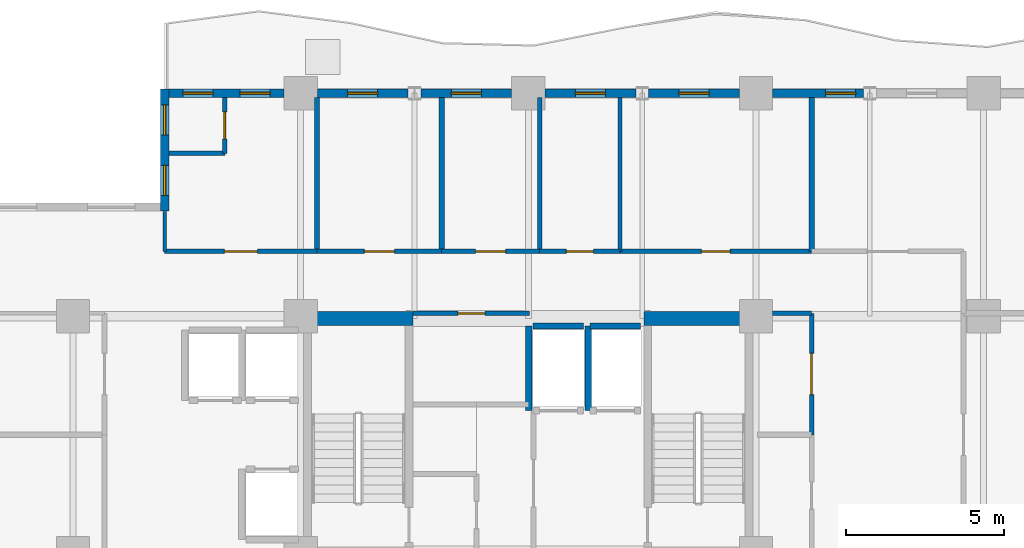
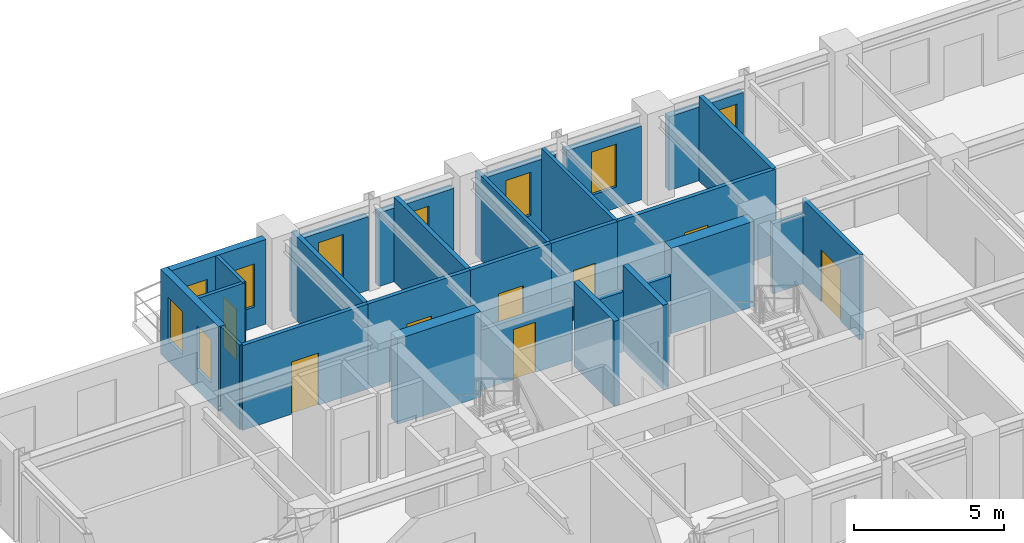
# One storey, part 8 of 13: 29 walls, 9 windows, 8 doors, 17 openings.
"""IFC4 building model written with IfcOpenShell, lengths in metres."""

from ifc_helpers import new_model, si_unit, direction, frame, frame_2d, origin, place, context, subcontext, project, spatial, rectangle, extrude, material, layer, layer_set, type_object, element, fill, save


model = new_model("IFC4")

# Units and contexts
model_context = context("Model", 3, precision=1e-05, world=origin(), true_north=direction((0.0, 1.0)))
body_context = subcontext(model_context, "Body", "Model", "MODEL_VIEW")
ifc_project = project(units=[si_unit("LENGTHUNIT", "METRE"), si_unit("AREAUNIT", "SQUARE_METRE"), si_unit("VOLUMEUNIT", "CUBIC_METRE"), si_unit("PLANEANGLEUNIT", "RADIAN"), si_unit("MASSUNIT", "GRAM", prefix="KILO")], contexts=[model_context])

# Site, building, storey
site_placement = place(None, origin())
site = spatial("IfcSite", under=ifc_project, at=site_placement, CompositionType="ELEMENT")
building_placement = place(site_placement, origin())
building = spatial("IfcBuilding", under=site, at=building_placement, Name="Kaliganga Portal Commons", CompositionType="ELEMENT")
storey_placement = place(building_placement, frame((0.0, 0.0, 180.89990234375)))
storey = spatial("IfcBuildingStorey", under=building, at=storey_placement, Name="L46", CompositionType="ELEMENT", Elevation=180.89990234375)

# Walls
ifc_material_1 = material(Name="Concrete C60/75", Category="concrete")
ifc_layer_1 = layer(ifc_material_1, 0.449951171875)
ifc_layer_set_1 = layer_set([ifc_layer_1], Name="Concrete C60/75")
wall_type_1 = type_object("IfcWallType", Name="WL-CORE-450", PredefinedType="SHEAR", material=ifc_layer_set_1)
for number, where, z_axis, x_axis, name in (
    (1, (14.75, 36.074951171875, 0.0), (0.0, 0.0, 1.0), (1.0, 0.0, 0.0), "Core A N-West Shear Wall L46"),
    (2, (25.25, 36.074951171875, 0.0), (0.0, 0.0, 1.0), (1.0, 0.0, 0.0), "Core A N-East Shear Wall L46"),
):
    element("IfcWall", number, at=place(storey_placement, frame(where, z_axis=z_axis, x_axis=x_axis)), inside=storey, type_object=wall_type_1, Name=name, PredefinedType="SHEAR", context=body_context, shape_type="SweptSolid", body=[
        extrude(rectangle(XDim=3.199951171875, YDim=0.449951171875, at=frame_2d((1.60009765625, 0.0))), origin(), (0.0, 0.0, 1.0), 3.460205078125),
    ])

# Wall, opening, window
ifc_material_2 = material(Name="Insulated Aluminium-Clad Spandrel Assembly", Category="aluminium")
ifc_layer_2 = layer(ifc_material_2, 0.260009765625)
ifc_layer_set_2 = layer_set([ifc_layer_2], Name="Insulated Aluminium-Clad Spandrel Assembly")
wall_type_2 = type_object("IfcWallType", Name="WL-EXT-SPAND-260", PredefinedType="STANDARD", material=ifc_layer_set_2)
wall_1_placement = place(storey_placement, frame((29.325927734375, 43.199951171875, 0.0), z_axis=(0.0, 0.0, 1.0), x_axis=(1.0, 0.0, 0.0)))
wall_1 = element("IfcWall", 3, at=wall_1_placement, inside=storey, type_object=wall_type_2, Name="Exterior Envelope Wall L46 P1-E06-S3", PredefinedType="STANDARD", context=body_context, shape_type="SweptSolid", body=[
    extrude(rectangle(XDim=2.87109375, YDim=0.260009765625, at=frame_2d((1.435546875, 0.0))), origin(), (0.0, 0.0, 1.0), 2.989990234375),
])
opening_1_placement = place(wall_1_placement, frame((1.672607421875, 0.0, 0.85009765625)))
opening_1 = element("IfcOpeningElement", 4, at=opening_1_placement, cuts=wall_1, Name="Opening W-04", PredefinedType="OPENING", context=body_context, shape_type="SweptSolid", body=[
    extrude(rectangle(XDim=0.949951171875, YDim=1.75, at=frame_2d((0.47509765625, 0.875))), frame((0.0, 0.14013671875, 0.0), z_axis=(0.0, -1.0, 0.0), x_axis=(1.0, 0.0, 0.0)), (0.0, 0.0, 1.0), 0.280029296875),
])
ifc_material_3 = material(Name="Thermally Broken Aluminium and Low-E Double Glazing", Category="aluminium")
window_type = type_object("IfcWindowType", Name="WIN-NARROW-950", PartitioningType="SINGLE_PANEL", PredefinedType="WINDOW", material=ifc_material_3)
window_1_placement = place(opening_1_placement, origin())
window_1 = element("IfcWindow", 5, at=window_1_placement, inside=storey, type_object=window_type, Name="Facade Window L46-P1E06S3-N2", OverallHeight=1.75, OverallWidth=0.949951171875, PartitioningType="SINGLE_PANEL", PredefinedType="WINDOW", context=body_context, shape_type="SweptSolid", body=[
    extrude(rectangle(XDim=0.949951171875, YDim=1.75, at=frame_2d((0.47509765625, 0.875))), frame((0.0, 0.030029296875, 0.0), z_axis=(0.0, -1.0, 0.0), x_axis=(1.0, 0.0, 0.0)), (0.0, 0.0, 1.0), 0.06005859375),
])
fill(opening_1, window_1)

wall_2_placement = place(storey_placement, frame((25.403076171875, 43.199951171875, 0.0), z_axis=(0.0, 0.0, 1.0), x_axis=(1.0, 0.0, 0.0)))
wall_2 = element("IfcWall", 6, at=wall_2_placement, inside=storey, type_object=wall_type_2, Name="Exterior Envelope Wall L46 P1-E06-S4", PredefinedType="STANDARD", context=body_context, shape_type="SweptSolid", body=[
    extrude(rectangle(XDim=2.870849609375, YDim=0.260009765625, at=frame_2d((1.435546875, 0.0))), origin(), (0.0, 0.0, 1.0), 2.989990234375),
])
opening_2_placement = place(wall_2_placement, frame((0.96044921875, 0.0, 0.85009765625)))
opening_2 = element("IfcOpeningElement", 7, at=opening_2_placement, cuts=wall_2, Name="Opening W-04", PredefinedType="OPENING", context=body_context, shape_type="SweptSolid", body=[
    extrude(rectangle(XDim=0.949951171875, YDim=1.75, at=frame_2d((0.47509765625, 0.875))), frame((0.0, 0.14013671875, 0.0), z_axis=(0.0, -1.0, 0.0), x_axis=(1.0, 0.0, 0.0)), (0.0, 0.0, 1.0), 0.280029296875),
])
window_2_placement = place(opening_2_placement, origin())
window_2 = element("IfcWindow", 8, at=window_2_placement, inside=storey, type_object=window_type, Name="Facade Window L46-P1E06S4-00", OverallHeight=1.75, OverallWidth=0.949951171875, PartitioningType="SINGLE_PANEL", PredefinedType="WINDOW", context=body_context, shape_type="SweptSolid", body=[
    extrude(rectangle(XDim=0.949951171875, YDim=1.75, at=frame_2d((0.47509765625, 0.875))), frame((0.0, 0.030029296875, 0.0), z_axis=(0.0, -1.0, 0.0), x_axis=(1.0, 0.0, 0.0)), (0.0, 0.0, 1.0), 0.06005859375),
])
fill(opening_2, window_2)

wall_3_placement = place(storey_placement, frame((22.1259765625, 43.199951171875, 0.0), z_axis=(0.0, 0.0, 1.0), x_axis=(1.0, 0.0, 0.0)))
wall_3 = element("IfcWall", 9, at=wall_3_placement, inside=storey, type_object=wall_type_2, Name="Exterior Envelope Wall L46 P1-E06-S5", PredefinedType="STANDARD", context=body_context, shape_type="SweptSolid", body=[
    extrude(rectangle(XDim=2.87109375, YDim=0.260009765625, at=frame_2d((1.435546875, 0.0))), origin(), (0.0, 0.0, 1.0), 2.989990234375),
])
opening_3_placement = place(wall_3_placement, frame((0.96044921875, 0.0, 0.85009765625)))
opening_3 = element("IfcOpeningElement", 10, at=opening_3_placement, cuts=wall_3, Name="Opening W-04", PredefinedType="OPENING", context=body_context, shape_type="SweptSolid", body=[
    extrude(rectangle(XDim=0.949951171875, YDim=1.75, at=frame_2d((0.47509765625, 0.875))), frame((0.0, 0.14013671875, 0.0), z_axis=(0.0, -1.0, 0.0), x_axis=(1.0, 0.0, 0.0)), (0.0, 0.0, 1.0), 0.280029296875),
])
window_3_placement = place(opening_3_placement, origin())
window_3 = element("IfcWindow", 11, at=window_3_placement, inside=storey, type_object=window_type, Name="Facade Window L46-P1E06S5-00", OverallHeight=1.75, OverallWidth=0.949951171875, PartitioningType="SINGLE_PANEL", PredefinedType="WINDOW", context=body_context, shape_type="SweptSolid", body=[
    extrude(rectangle(XDim=0.949951171875, YDim=1.75, at=frame_2d((0.47509765625, 0.875))), frame((0.0, 0.030029296875, 0.0), z_axis=(0.0, -1.0, 0.0), x_axis=(1.0, 0.0, 0.0)), (0.0, 0.0, 1.0), 0.06005859375),
])
fill(opening_3, window_3)

wall_4_placement = place(storey_placement, frame((18.202880859375, 43.199951171875, 0.0), z_axis=(0.0, 0.0, 1.0), x_axis=(1.0, 0.0, 0.0)))
wall_4 = element("IfcWall", 12, at=wall_4_placement, inside=storey, type_object=wall_type_2, Name="Exterior Envelope Wall L46 P1-E06-S6", PredefinedType="STANDARD", context=body_context, shape_type="SweptSolid", body=[
    extrude(rectangle(XDim=2.87109375, YDim=0.260009765625, at=frame_2d((1.435546875, 0.0))), origin(), (0.0, 0.0, 1.0), 2.989990234375),
])
opening_4_placement = place(wall_4_placement, frame((0.96044921875, 0.0, 0.85009765625)))
opening_4 = element("IfcOpeningElement", 13, at=opening_4_placement, cuts=wall_4, Name="Opening W-04", PredefinedType="OPENING", context=body_context, shape_type="SweptSolid", body=[
    extrude(rectangle(XDim=0.949951171875, YDim=1.75, at=frame_2d((0.47509765625, 0.875))), frame((0.0, 0.14013671875, 0.0), z_axis=(0.0, -1.0, 0.0), x_axis=(1.0, 0.0, 0.0)), (0.0, 0.0, 1.0), 0.280029296875),
])
window_4_placement = place(opening_4_placement, origin())
window_4 = element("IfcWindow", 14, at=window_4_placement, inside=storey, type_object=window_type, Name="Facade Window L46-P1E06S6-00", OverallHeight=1.75, OverallWidth=0.949951171875, PartitioningType="SINGLE_PANEL", PredefinedType="WINDOW", context=body_context, shape_type="SweptSolid", body=[
    extrude(rectangle(XDim=0.949951171875, YDim=1.75, at=frame_2d((0.47509765625, 0.875))), frame((0.0, 0.030029296875, 0.0), z_axis=(0.0, -1.0, 0.0), x_axis=(1.0, 0.0, 0.0)), (0.0, 0.0, 1.0), 0.06005859375),
])
fill(opening_4, window_4)

wall_5_placement = place(storey_placement, frame((14.926025390625, 43.199951171875, 0.0), z_axis=(0.0, 0.0, 1.0), x_axis=(1.0, 0.0, 0.0)))
wall_5 = element("IfcWall", 15, at=wall_5_placement, inside=storey, type_object=wall_type_2, Name="Exterior Envelope Wall L46 P1-E06-S7", PredefinedType="STANDARD", context=body_context, shape_type="SweptSolid", body=[
    extrude(rectangle(XDim=2.87109375, YDim=0.260009765625, at=frame_2d((1.435546875, 0.0))), origin(), (0.0, 0.0, 1.0), 2.989990234375),
])
opening_5_placement = place(wall_5_placement, frame((0.96044921875, 0.0, 0.85009765625)))
opening_5 = element("IfcOpeningElement", 16, at=opening_5_placement, cuts=wall_5, Name="Opening W-04", PredefinedType="OPENING", context=body_context, shape_type="SweptSolid", body=[
    extrude(rectangle(XDim=0.949951171875, YDim=1.75, at=frame_2d((0.47509765625, 0.875))), frame((0.0, 0.14013671875, 0.0), z_axis=(0.0, -1.0, 0.0), x_axis=(1.0, 0.0, 0.0)), (0.0, 0.0, 1.0), 0.280029296875),
])
window_5_placement = place(opening_5_placement, origin())
window_5 = element("IfcWindow", 17, at=window_5_placement, inside=storey, type_object=window_type, Name="Facade Window L46-P1E06S7-00", OverallHeight=1.75, OverallWidth=0.949951171875, PartitioningType="SINGLE_PANEL", PredefinedType="WINDOW", context=body_context, shape_type="SweptSolid", body=[
    extrude(rectangle(XDim=0.949951171875, YDim=1.75, at=frame_2d((0.47509765625, 0.875))), frame((0.0, 0.030029296875, 0.0), z_axis=(0.0, -1.0, 0.0), x_axis=(1.0, 0.0, 0.0)), (0.0, 0.0, 1.0), 0.06005859375),
])
fill(opening_5, window_5)

# Wall, openings, windows
wall_6_placement = place(storey_placement, frame((10.235107421875, 43.199951171875, 0.0), z_axis=(0.0, 0.0, 1.0), x_axis=(1.0, 0.0, 0.0)))
wall_6 = element("IfcWall", 18, at=wall_6_placement, inside=storey, type_object=wall_type_2, Name="Exterior Envelope Wall L46 P1-E06-S8", PredefinedType="STANDARD", context=body_context, shape_type="SweptSolid", body=[
    extrude(rectangle(XDim=3.638916015625, YDim=0.260009765625, at=frame_2d((1.8193359375, 0.0))), origin(), (0.0, 0.0, 1.0), 3.440185546875),
])
opening_6_placement = place(wall_6_placement, frame((0.44189453125, 0.0, 0.85009765625)))
opening_6 = element("IfcOpeningElement", 19, at=opening_6_placement, cuts=wall_6, Name="Opening W-04", PredefinedType="OPENING", context=body_context, shape_type="SweptSolid", body=[
    extrude(rectangle(XDim=0.949951171875, YDim=1.75, at=frame_2d((0.47509765625, 0.875))), frame((0.0, 0.14013671875, 0.0), z_axis=(0.0, -1.0, 0.0), x_axis=(1.0, 0.0, 0.0)), (0.0, 0.0, 1.0), 0.280029296875),
])
opening_7_placement = place(wall_6_placement, frame((2.2470703125, 0.0, 0.85009765625)))
opening_7 = element("IfcOpeningElement", 20, at=opening_7_placement, cuts=wall_6, Name="Opening W-04", PredefinedType="OPENING", context=body_context, shape_type="SweptSolid", body=[
    extrude(rectangle(XDim=0.949951171875, YDim=1.75, at=frame_2d((0.47509765625, 0.875))), frame((0.0, 0.14013671875, 0.0), z_axis=(0.0, -1.0, 0.0), x_axis=(1.0, 0.0, 0.0)), (0.0, 0.0, 1.0), 0.280029296875),
])
window_6_placement = place(opening_6_placement, origin())
window_6 = element("IfcWindow", 21, at=window_6_placement, inside=storey, type_object=window_type, Name="Facade Window L46-P1E06S8-N1", OverallHeight=1.75, OverallWidth=0.949951171875, PartitioningType="SINGLE_PANEL", PredefinedType="WINDOW", context=body_context, shape_type="SweptSolid", body=[
    extrude(rectangle(XDim=0.949951171875, YDim=1.75, at=frame_2d((0.47509765625, 0.875))), frame((0.0, 0.030029296875, 0.0), z_axis=(0.0, -1.0, 0.0), x_axis=(1.0, 0.0, 0.0)), (0.0, 0.0, 1.0), 0.06005859375),
])
fill(opening_6, window_6)
window_7_placement = place(opening_7_placement, origin())
window_7 = element("IfcWindow", 22, at=window_7_placement, inside=storey, type_object=window_type, Name="Facade Window L46-P1E06S8-N2", OverallHeight=1.75, OverallWidth=0.949951171875, PartitioningType="SINGLE_PANEL", PredefinedType="WINDOW", context=body_context, shape_type="SweptSolid", body=[
    extrude(rectangle(XDim=0.949951171875, YDim=1.75, at=frame_2d((0.47509765625, 0.875))), frame((0.0, 0.030029296875, 0.0), z_axis=(0.0, -1.0, 0.0), x_axis=(1.0, 0.0, 0.0)), (0.0, 0.0, 1.0), 0.06005859375),
])
fill(opening_7, window_7)

wall_7_placement = place(storey_placement, frame((10.10009765625, 39.469970703125, 0.0), z_axis=(0.0, 0.0, 1.0), x_axis=(0.0, 1.0, 0.0)))
wall_7 = element("IfcWall", 23, at=wall_7_placement, inside=storey, type_object=wall_type_2, Name="Exterior Envelope Wall L46 P1-E07-S1", PredefinedType="STANDARD", context=body_context, shape_type="SweptSolid", body=[
    extrude(rectangle(XDim=3.860107421875, YDim=0.260009765625, at=frame_2d((1.93017578125, 0.0))), origin(), (0.0, 0.0, 1.0), 3.440185546875),
])
opening_8_placement = place(wall_7_placement, frame((0.497802734375, 0.0, 0.85009765625)))
opening_8 = element("IfcOpeningElement", 24, at=opening_8_placement, cuts=wall_7, Name="Opening W-04", PredefinedType="OPENING", context=body_context, shape_type="SweptSolid", body=[
    extrude(rectangle(XDim=0.949951171875, YDim=1.75, at=frame_2d((0.47509765625, 0.875))), frame((0.0, 0.14013671875, 0.0), z_axis=(0.0, -1.0, 0.0), x_axis=(1.0, 0.0, 0.0)), (0.0, 0.0, 1.0), 0.280029296875),
])
opening_9_placement = place(wall_7_placement, frame((2.412353515625, 0.0, 0.85009765625)))
opening_9 = element("IfcOpeningElement", 25, at=opening_9_placement, cuts=wall_7, Name="Opening W-04", PredefinedType="OPENING", context=body_context, shape_type="SweptSolid", body=[
    extrude(rectangle(XDim=0.949951171875, YDim=1.75, at=frame_2d((0.47509765625, 0.875))), frame((0.0, 0.14013671875, 0.0), z_axis=(0.0, -1.0, 0.0), x_axis=(1.0, 0.0, 0.0)), (0.0, 0.0, 1.0), 0.280029296875),
])
window_8_placement = place(opening_8_placement, origin())
window_8 = element("IfcWindow", 26, at=window_8_placement, inside=storey, type_object=window_type, Name="Facade Window L46-P1E07S1-N1", OverallHeight=1.75, OverallWidth=0.949951171875, PartitioningType="SINGLE_PANEL", PredefinedType="WINDOW", context=body_context, shape_type="SweptSolid", body=[
    extrude(rectangle(XDim=0.949951171875, YDim=1.75, at=frame_2d((0.47509765625, 0.875))), frame((0.0, 0.030029296875, 0.0), z_axis=(0.0, -1.0, 0.0), x_axis=(1.0, 0.0, 0.0)), (0.0, 0.0, 1.0), 0.06005859375),
])
fill(opening_8, window_8)
window_9_placement = place(opening_9_placement, origin())
window_9 = element("IfcWindow", 27, at=window_9_placement, inside=storey, type_object=window_type, Name="Facade Window L46-P1E07S1-N2", OverallHeight=1.75, OverallWidth=0.949951171875, PartitioningType="SINGLE_PANEL", PredefinedType="WINDOW", context=body_context, shape_type="SweptSolid", body=[
    extrude(rectangle(XDim=0.949951171875, YDim=1.75, at=frame_2d((0.47509765625, 0.875))), frame((0.0, 0.030029296875, 0.0), z_axis=(0.0, -1.0, 0.0), x_axis=(1.0, 0.0, 0.0)), (0.0, 0.0, 1.0), 0.06005859375),
])
fill(opening_9, window_9)

# Wall, opening, door
ifc_material_4 = material(Name="Fire-Rated Gypsum Board on Steel Stud", Category="steel")
ifc_layer_3 = layer(ifc_material_4, 0.14990234375)
ifc_layer_set_3 = layer_set([ifc_layer_3], Name="Fire-Rated Gypsum Board on Steel Stud")
wall_type_3 = type_object("IfcWallType", Name="WL-PART-CORR-150", PredefinedType="PARTITIONING", material=ifc_layer_set_3)
wall_8_placement = place(storey_placement, frame((24.5, 38.199951171875, 0.0), z_axis=(0.0, 0.0, 1.0), x_axis=(1.0, 0.0, 0.0)))
wall_8 = element("IfcWall", 28, at=wall_8_placement, inside=storey, type_object=wall_type_3, Name="Interior Partition L46-018", PredefinedType="PARTITIONING", context=body_context, shape_type="SweptSolid", body=[
    extrude(rectangle(XDim=6.06005859375, YDim=0.14990234375, at=frame_2d((3.030029296875, 0.0))), origin(), (0.0, 0.0, 1.0), 3.440185546875),
])
opening_10_placement = place(wall_8_placement, frame((2.580078125, 0.0, 0.0)))
opening_10 = element("IfcOpeningElement", 29, at=opening_10_placement, cuts=wall_8, Name="Opening RD-01", PredefinedType="OPENING", context=body_context, shape_type="SweptSolid", body=[
    extrude(rectangle(XDim=0.89990234375, YDim=2.080078125, at=frame_2d((0.449951171875, 1.0400390625))), frame((0.0, 0.0849609375, 0.0), z_axis=(0.0, -1.0, 0.0), x_axis=(1.0, 0.0, 0.0)), (0.0, 0.0, 1.0), 0.169921875),
])
ifc_material_5 = material(Name="Engineered Timber Flush Door", Category="wood")
door_type_1 = type_object("IfcDoorType", Name="DR-ROOM-900", OperationType="NOTDEFINED", PredefinedType="DOOR", material=ifc_material_5)
door_1_placement = place(opening_10_placement, origin())
door_1 = element("IfcDoor", 30, at=door_1_placement, inside=storey, type_object=door_type_1, Name="Interior Door L46-AN05", OperationType="SINGLE_SWING_LEFT", OverallHeight=2.080078125, OverallWidth=0.89990234375, PredefinedType="DOOR", context=body_context, shape_type="SweptSolid", body=[
    extrude(rectangle(XDim=0.89990234375, YDim=2.080078125, at=frame_2d((0.449951171875, 1.0400390625))), frame((0.0, 0.02490234375, 0.0), z_axis=(0.0, -1.0, 0.0), x_axis=(1.0, 0.0, 0.0)), (0.0, 0.0, 1.0), 0.050048828125),
])
fill(opening_10, door_1)

wall_9_placement = place(storey_placement, frame((10.10009765625, 38.199951171875, 0.0), z_axis=(0.0, 0.0, 1.0), x_axis=(1.0, 0.0, 0.0)))
wall_9 = element("IfcWall", 31, at=wall_9_placement, inside=storey, type_object=wall_type_3, Name="Interior Partition L46-027", PredefinedType="PARTITIONING", context=body_context, shape_type="SweptSolid", body=[
    extrude(rectangle(XDim=4.81982421875, YDim=0.14990234375, at=frame_2d((2.409912109375, 0.0))), origin(), (0.0, 0.0, 1.0), 3.440185546875),
])
opening_11_placement = place(wall_9_placement, frame((1.885009765625, 0.0, 0.0)))
opening_11 = element("IfcOpeningElement", 32, at=opening_11_placement, cuts=wall_9, Name="Opening UD-02", PredefinedType="OPENING", context=body_context, shape_type="SweptSolid", body=[
    extrude(rectangle(XDim=1.050048828125, YDim=2.1201171875, at=frame_2d((0.52490234375, 1.06005859375))), frame((0.0, 0.0849609375, 0.0), z_axis=(0.0, -1.0, 0.0), x_axis=(1.0, 0.0, 0.0)), (0.0, 0.0, 1.0), 0.169921875),
])
ifc_material_6 = material(Name="Accessible Wide-Leaf Acoustic Fire Door", Category="wood")
door_type_2 = type_object("IfcDoorType", Name="DR-ACC-1050", OperationType="NOTDEFINED", PredefinedType="DOOR", material=ifc_material_6)
door_2_placement = place(opening_11_placement, origin())
door_2 = element("IfcDoor", 33, at=door_2_placement, inside=storey, type_object=door_type_2, Name="Interior Door L46-AN01", OperationType="SINGLE_SWING_RIGHT", OverallHeight=2.1201171875, OverallWidth=1.050048828125, PredefinedType="DOOR", context=body_context, shape_type="SweptSolid", body=[
    extrude(rectangle(XDim=1.050048828125, YDim=2.1201171875, at=frame_2d((0.52490234375, 1.06005859375))), frame((0.0, 0.02490234375, 0.0), z_axis=(0.0, -1.0, 0.0), x_axis=(1.0, 0.0, 0.0)), (0.0, 0.0, 1.0), 0.050048828125),
])
fill(opening_11, door_2)

wall_10_placement = place(storey_placement, frame((14.919921875, 38.199951171875, 0.0), z_axis=(0.0, 0.0, 1.0), x_axis=(1.0, 0.0, 0.0)))
wall_10 = element("IfcWall", 34, at=wall_10_placement, inside=storey, type_object=wall_type_3, Name="Interior Partition L46-033", PredefinedType="PARTITIONING", context=body_context, shape_type="SweptSolid", body=[
    extrude(rectangle(XDim=3.940185546875, YDim=0.14990234375, at=frame_2d((1.97021484375, 0.0))), origin(), (0.0, 0.0, 1.0), 3.440185546875),
])
opening_12_placement = place(wall_10_placement, frame((1.4951171875, 0.0, 0.0)))
opening_12 = element("IfcOpeningElement", 35, at=opening_12_placement, cuts=wall_10, Name="Opening UD-01", PredefinedType="OPENING", context=body_context, shape_type="SweptSolid", body=[
    extrude(rectangle(XDim=0.949951171875, YDim=2.10009765625, at=frame_2d((0.47509765625, 1.050048828125))), frame((0.0, 0.0849609375, 0.0), z_axis=(0.0, -1.0, 0.0), x_axis=(1.0, 0.0, 0.0)), (0.0, 0.0, 1.0), 0.169921875),
])
ifc_material_7 = material(Name="Solid-Core Timber Acoustic Fire Door", Category="wood")
door_type_3 = type_object("IfcDoorType", Name="DR-UNIT-950", OperationType="NOTDEFINED", PredefinedType="DOOR", material=ifc_material_7)
door_3_placement = place(opening_12_placement, origin())
door_3 = element("IfcDoor", 36, at=door_3_placement, inside=storey, type_object=door_type_3, Name="Interior Door L46-AN02", OperationType="SINGLE_SWING_RIGHT", OverallHeight=2.10009765625, OverallWidth=0.949951171875, PredefinedType="DOOR", context=body_context, shape_type="SweptSolid", body=[
    extrude(rectangle(XDim=0.949951171875, YDim=2.10009765625, at=frame_2d((0.47509765625, 1.050048828125))), frame((0.0, 0.02490234375, 0.0), z_axis=(0.0, -1.0, 0.0), x_axis=(1.0, 0.0, 0.0)), (0.0, 0.0, 1.0), 0.050048828125),
])
fill(opening_12, door_3)

wall_11_placement = place(storey_placement, frame((30.56005859375, 32.39990234375, 0.0), z_axis=(0.0, 0.0, 1.0), x_axis=(0.0, 1.0, 0.0)))
wall_11 = element("IfcWall", 37, at=wall_11_placement, inside=storey, type_object=wall_type_3, Name="Interior Partition L46-035", PredefinedType="PARTITIONING", context=body_context, shape_type="SweptSolid", body=[
    extrude(rectangle(XDim=3.840087890625, YDim=0.14990234375, at=frame_2d((1.919921875, 0.0))), origin(), (0.0, 0.0, 1.0), 3.440185546875),
])
opening_13_placement = place(wall_11_placement, frame((1.27001953125, 0.0, 0.0)))
opening_13 = element("IfcOpeningElement", 38, at=opening_13_placement, cuts=wall_11, Name="Opening RD-03", PredefinedType="OPENING", context=body_context, shape_type="SweptSolid", body=[
    extrude(rectangle(XDim=1.300048828125, YDim=2.1201171875, at=frame_2d((0.64990234375, 1.06005859375))), frame((0.0, 0.0849609375, 0.0), z_axis=(0.0, -1.0, 0.0), x_axis=(1.0, 0.0, 0.0)), (0.0, 0.0, 1.0), 0.169921875),
])
ifc_material_8 = material(Name="Glazed Timber Seminar Vision Door", Category="wood")
door_type_4 = type_object("IfcDoorType", Name="DR-STUDY-1300", OperationType="DOUBLE_DOOR_SINGLE_SWING", PredefinedType="DOOR", material=ifc_material_8)
door_4_placement = place(opening_13_placement, origin())
door_4 = element("IfcDoor", 39, at=door_4_placement, inside=storey, type_object=door_type_4, Name="Interior Door L46-CSRV_A2", OperationType="DOUBLE_DOOR_SINGLE_SWING", OverallHeight=2.1201171875, OverallWidth=1.300048828125, PredefinedType="DOOR", context=body_context, shape_type="SweptSolid", body=[
    extrude(rectangle(XDim=1.300048828125, YDim=2.1201171875, at=frame_2d((0.64990234375, 1.06005859375))), frame((0.0, 0.02490234375, 0.0), z_axis=(0.0, -1.0, 0.0), x_axis=(1.0, 0.0, 0.0)), (0.0, 0.0, 1.0), 0.050048828125),
])
fill(opening_13, door_4)

wall_12_placement = place(storey_placement, frame((17.9599609375, 36.239990234375, 0.0), z_axis=(0.0, 0.0, 1.0), x_axis=(1.0, 0.0, 0.0)))
wall_12 = element("IfcWall", 40, at=wall_12_placement, inside=storey, type_object=wall_type_3, Name="Interior Partition L46-039", PredefinedType="PARTITIONING", context=body_context, shape_type="SweptSolid", body=[
    extrude(rectangle(XDim=3.679931640625, YDim=0.14990234375, at=frame_2d((1.83984375, 0.0))), origin(), (0.0, 0.0, 1.0), 2.440185546875),
])
opening_14_placement = place(wall_12_placement, frame((1.4150390625, 0.0, 0.0)))
opening_14 = element("IfcOpeningElement", 41, at=opening_14_placement, cuts=wall_12, Name="Opening WD-01", PredefinedType="OPENING", context=body_context, shape_type="SweptSolid", body=[
    extrude(rectangle(XDim=0.85009765625, YDim=2.0400390625, at=frame_2d((0.425048828125, 1.02001953125))), frame((0.0, 0.0849609375, 0.0), z_axis=(0.0, -1.0, 0.0), x_axis=(1.0, 0.0, 0.0)), (0.0, 0.0, 1.0), 0.169921875),
])
ifc_material_9 = material(Name="Moisture-Resistant Laminate Timber Door", Category="wood")
door_type_5 = type_object("IfcDoorType", Name="DR-WET-850", OperationType="NOTDEFINED", PredefinedType="DOOR", material=ifc_material_9)
door_5_placement = place(opening_14_placement, origin())
door_5 = element("IfcDoor", 42, at=door_5_placement, inside=storey, type_object=door_type_5, Name="Interior Door L46-CREC_A1", OperationType="SINGLE_SWING_LEFT", OverallHeight=2.0400390625, OverallWidth=0.85009765625, PredefinedType="DOOR", context=body_context, shape_type="SweptSolid", body=[
    extrude(rectangle(XDim=0.85009765625, YDim=2.0400390625, at=frame_2d((0.425048828125, 1.02001953125))), frame((0.0, 0.02490234375, 0.0), z_axis=(0.0, -1.0, 0.0), x_axis=(1.0, 0.0, 0.0)), (0.0, 0.0, 1.0), 0.050048828125),
])
fill(opening_14, door_5)

wall_13_placement = place(storey_placement, frame((18.860107421875, 38.199951171875, 0.0), z_axis=(0.0, 0.0, 1.0), x_axis=(1.0, 0.0, 0.0)))
wall_13 = element("IfcWall", 43, at=wall_13_placement, inside=storey, type_object=wall_type_3, Name="Interior Partition L46-040", PredefinedType="PARTITIONING", context=body_context, shape_type="SweptSolid", body=[
    extrude(rectangle(XDim=3.099853515625, YDim=0.14990234375, at=frame_2d((1.5498046875, 0.0))), origin(), (0.0, 0.0, 1.0), 3.440185546875),
])
opening_15_placement = place(wall_13_placement, frame((1.074951171875, 0.0, 0.0)))
opening_15 = element("IfcOpeningElement", 44, at=opening_15_placement, cuts=wall_13, Name="Opening UD-01", PredefinedType="OPENING", context=body_context, shape_type="SweptSolid", body=[
    extrude(rectangle(XDim=0.949951171875, YDim=2.10009765625, at=frame_2d((0.47509765625, 1.050048828125))), frame((0.0, 0.0849609375, 0.0), z_axis=(0.0, -1.0, 0.0), x_axis=(1.0, 0.0, 0.0)), (0.0, 0.0, 1.0), 0.169921875),
])
door_6_placement = place(opening_15_placement, origin())
door_6 = element("IfcDoor", 45, at=door_6_placement, inside=storey, type_object=door_type_3, Name="Interior Door L46-AN03", OperationType="SINGLE_SWING_RIGHT", OverallHeight=2.10009765625, OverallWidth=0.949951171875, PredefinedType="DOOR", context=body_context, shape_type="SweptSolid", body=[
    extrude(rectangle(XDim=0.949951171875, YDim=2.10009765625, at=frame_2d((0.47509765625, 1.050048828125))), frame((0.0, 0.02490234375, 0.0), z_axis=(0.0, -1.0, 0.0), x_axis=(1.0, 0.0, 0.0)), (0.0, 0.0, 1.0), 0.050048828125),
])
fill(opening_15, door_6)

wall_14_placement = place(storey_placement, frame((21.9599609375, 38.199951171875, 0.0), z_axis=(0.0, 0.0, 1.0), x_axis=(1.0, 0.0, 0.0)))
wall_14 = element("IfcWall", 46, at=wall_14_placement, inside=storey, type_object=wall_type_3, Name="Interior Partition L46-044", PredefinedType="PARTITIONING", context=body_context, shape_type="SweptSolid", body=[
    extrude(rectangle(XDim=2.5400390625, YDim=0.14990234375, at=frame_2d((1.27001953125, 0.0))), origin(), (0.0, 0.0, 1.0), 3.440185546875),
])
opening_16_placement = place(wall_14_placement, frame((0.844970703125, 0.0, 0.0)))
opening_16 = element("IfcOpeningElement", 47, at=opening_16_placement, cuts=wall_14, Name="Opening WD-01", PredefinedType="OPENING", context=body_context, shape_type="SweptSolid", body=[
    extrude(rectangle(XDim=0.85009765625, YDim=2.0400390625, at=frame_2d((0.425048828125, 1.02001953125))), frame((0.0, 0.0849609375, 0.0), z_axis=(0.0, -1.0, 0.0), x_axis=(1.0, 0.0, 0.0)), (0.0, 0.0, 1.0), 0.169921875),
])
door_7_placement = place(opening_16_placement, origin())
door_7 = element("IfcDoor", 48, at=door_7_placement, inside=storey, type_object=door_type_5, Name="Interior Door L46-AN04", OperationType="SINGLE_SWING_LEFT", OverallHeight=2.0400390625, OverallWidth=0.85009765625, PredefinedType="DOOR", context=body_context, shape_type="SweptSolid", body=[
    extrude(rectangle(XDim=0.85009765625, YDim=2.0400390625, at=frame_2d((0.425048828125, 1.02001953125))), frame((0.0, 0.02490234375, 0.0), z_axis=(0.0, -1.0, 0.0), x_axis=(1.0, 0.0, 0.0)), (0.0, 0.0, 1.0), 0.050048828125),
])
fill(opening_16, door_7)

# Walls
wall_15_placement = place(storey_placement, frame((29.324951171875, 36.239990234375, 0.0), z_axis=(0.0, 0.0, 1.0), x_axis=(1.0, 0.0, 0.0)))
element("IfcWall", 49, at=wall_15_placement, inside=storey, type_object=wall_type_3, Name="Interior Partition L46-050", PredefinedType="PARTITIONING", context=body_context, shape_type="SweptSolid", body=[
    extrude(rectangle(XDim=1.235107421875, YDim=0.14990234375, at=frame_2d((0.61767578125, 0.0))), origin(), (0.0, 0.0, 1.0), 2.840087890625),
])
ifc_material_10 = material(Name="Moisture-Resistant Gypsum Partition", Category="gypsum")
ifc_layer_4 = layer(ifc_material_10, 0.114990234375)
ifc_layer_set_4 = layer_set([ifc_layer_4], Name="Moisture-Resistant Gypsum Partition")
wall_type_4 = type_object("IfcWallType", Name="WL-PART-ROOM-115", PredefinedType="PARTITIONING", material=ifc_layer_set_4)
wall_16_placement = place(storey_placement, frame((10.10009765625, 38.199951171875, 0.0), z_axis=(0.0, 0.0, 1.0), x_axis=(0.0, 1.0, 0.0)))
element("IfcWall", 50, at=wall_16_placement, inside=storey, type_object=wall_type_4, Name="Interior Partition L46-078", PredefinedType="PARTITIONING", context=body_context, shape_type="SweptSolid", body=[
    extrude(rectangle(XDim=1.26806640625, YDim=0.114990234375, at=frame_2d((0.634033203125, 0.0))), origin(), (0.0, 0.0, 1.0), 3.440185546875),
])
ifc_material_11 = material(Name="Twin-Stud Acoustic Gypsum Partition", Category="gypsum")
ifc_layer_5 = layer(ifc_material_11, 0.1650390625)
ifc_layer_set_5 = layer_set([ifc_layer_5], Name="Twin-Stud Acoustic Gypsum Partition")
wall_type_5 = type_object("IfcWallType", Name="WL-PART-UNIT-165", PredefinedType="PARTITIONING", material=ifc_layer_set_5)
for number, where, z_axis, x_axis, name in (
    (51, (14.919921875, 38.199951171875, 0.0), (0.0, 0.0, 1.0), (0.0, 1.0, 0.0), "Interior Partition L46-064"),
    (52, (18.860107421875, 38.199951171875, 0.0), (0.0, 0.0, 1.0), (0.0, 1.0, 0.0), "Interior Partition L46-066"),
    (53, (30.56005859375, 38.199951171875, 0.0), (0.0, 0.0, 1.0), (0.0, 1.0, 0.0), "Interior Partition L46-070"),
):
    element("IfcWall", number, at=place(storey_placement, frame(where, z_axis=z_axis, x_axis=x_axis)), inside=storey, type_object=wall_type_5, Name=name, PredefinedType="PARTITIONING", context=body_context, shape_type="SweptSolid", body=[
        extrude(rectangle(XDim=4.8681640625, YDim=0.1650390625, at=frame_2d((2.43408203125, 0.0))), origin(), (0.0, 0.0, 1.0), 3.440185546875),
    ])

# Wall, opening, door
ifc_material_12 = material(Name="Cement-Board Wet-Room Partition", Category="gypsum")
ifc_layer_6 = layer(ifc_material_12, 0.135009765625)
ifc_layer_set_6 = layer_set([ifc_layer_6], Name="Cement-Board Wet-Room Partition")
wall_type_6 = type_object("IfcWallType", Name="WL-PART-WET-135", PredefinedType="PARTITIONING", material=ifc_layer_set_6)
wall_17_placement = place(storey_placement, frame((12.0, 41.300048828125, 0.0), z_axis=(0.0, 0.0, 1.0), x_axis=(0.0, 1.0, 0.0)))
wall_17 = element("IfcWall", 54, at=wall_17_placement, inside=storey, type_object=wall_type_6, Name="Interior Partition L46-001", PredefinedType="PARTITIONING", context=body_context, shape_type="SweptSolid", body=[
    extrude(rectangle(XDim=1.76806640625, YDim=0.135009765625, at=frame_2d((0.884033203125, 0.0))), origin(), (0.0, 0.0, 1.0), 3.440185546875),
])
opening_17_placement = place(wall_17_placement, frame((0.458984375, 0.0, 0.0)))
opening_17 = element("IfcOpeningElement", 55, at=opening_17_placement, cuts=wall_17, Name="Opening WD-01", PredefinedType="OPENING", context=body_context, shape_type="SweptSolid", body=[
    extrude(rectangle(XDim=0.85009765625, YDim=2.0400390625, at=frame_2d((0.425048828125, 1.02001953125))), frame((0.0, 0.07763671875, 0.0), z_axis=(0.0, -1.0, 0.0), x_axis=(1.0, 0.0, 0.0)), (0.0, 0.0, 1.0), 0.155029296875),
])
door_8_placement = place(opening_17_placement, origin())
door_8 = element("IfcDoor", 56, at=door_8_placement, inside=storey, type_object=door_type_5, Name="Interior Door L46-AN01E", OperationType="SINGLE_SWING_LEFT", OverallHeight=2.0400390625, OverallWidth=0.85009765625, PredefinedType="DOOR", context=body_context, shape_type="SweptSolid", body=[
    extrude(rectangle(XDim=0.85009765625, YDim=2.0400390625, at=frame_2d((0.425048828125, 1.02001953125))), frame((0.0, 0.02490234375, 0.0), z_axis=(0.0, -1.0, 0.0), x_axis=(1.0, 0.0, 0.0)), (0.0, 0.0, 1.0), 0.050048828125),
])
fill(opening_17, door_8)

# Walls
wall_18_placement = place(storey_placement, frame((10.23193359375, 41.300048828125, 0.0), z_axis=(0.0, 0.0, 1.0), x_axis=(1.0, 0.0, 0.0)))
element("IfcWall", 57, at=wall_18_placement, inside=storey, type_object=wall_type_6, Name="Interior Partition L46-003", PredefinedType="PARTITIONING", context=body_context, shape_type="SweptSolid", body=[
    extrude(rectangle(XDim=1.76806640625, YDim=0.135009765625, at=frame_2d((0.884033203125, 0.0))), origin(), (0.0, 0.0, 1.0), 3.440185546875),
])
for number, where, z_axis, x_axis, name in (
    (58, (21.9599609375, 38.199951171875, 0.0), (0.0, 0.0, 1.0), (0.0, 1.0, 0.0), "Interior Partition L46-067"),
    (59, (24.5, 38.199951171875, 0.0), (0.0, 0.0, 1.0), (0.0, 1.0, 0.0), "Interior Partition L46-069"),
):
    element("IfcWall", number, at=place(storey_placement, frame(where, z_axis=z_axis, x_axis=x_axis)), inside=storey, type_object=wall_type_6, Name=name, PredefinedType="PARTITIONING", context=body_context, shape_type="SweptSolid", body=[
        extrude(rectangle(XDim=4.8681640625, YDim=0.135009765625, at=frame_2d((2.43408203125, 0.0))), origin(), (0.0, 0.0, 1.0), 3.440185546875),
    ])
ifc_material_13 = material(Name="Fire-Rated Shaftwall Masonry Assembly", Category="masonry")
ifc_layer_7 = layer(ifc_material_13, 0.199951171875)
ifc_layer_set_7 = layer_set([ifc_layer_7], Name="Fire-Rated Shaftwall Masonry Assembly")
wall_type_7 = type_object("IfcWallType", Name="WL-SHAFT-200", PredefinedType="PARTITIONING", material=ifc_layer_set_7)
wall_19_placement = place(storey_placement, frame((21.75, 35.840087890625, 0.0), z_axis=(0.0, 0.0, 1.0), x_axis=(1.0, 0.0, 0.0)))
element("IfcWall", 60, at=wall_19_placement, inside=storey, type_object=wall_type_7, Name="Lift FFL-1 Hoistway Shaft Wall L46-N", PredefinedType="PARTITIONING", context=body_context, shape_type="SweptSolid", body=[
    extrude(rectangle(XDim=1.60009765625, YDim=0.199951171875, at=frame_2d((0.800048828125, 0.0))), origin(), (0.0, 0.0, 1.0), 2.440185546875),
])
for number, where, z_axis, x_axis, name in (
    (61, (21.610107421875, 33.159912109375, 0.0), (0.0, 0.0, 1.0), (0.0, 1.0, 0.0), "Lift FFL-1 Hoistway Shaft Wall L46-W"),
    (62, (23.489990234375, 33.159912109375, 0.0), (0.0, 0.0, 1.0), (0.0, 1.0, 0.0), "Lift FFL-1 Hoistway Shaft Wall L46-E"),
):
    element("IfcWall", number, at=place(storey_placement, frame(where, z_axis=z_axis, x_axis=x_axis)), inside=storey, type_object=wall_type_7, Name=name, PredefinedType="PARTITIONING", context=body_context, shape_type="SweptSolid", body=[
        extrude(rectangle(XDim=2.68017578125, YDim=0.199951171875, at=frame_2d((1.340087890625, 0.0))), origin(), (0.0, 0.0, 1.0), 3.440185546875),
    ])
wall_20_placement = place(storey_placement, frame((23.550048828125, 35.840087890625, 0.0), z_axis=(0.0, 0.0, 1.0), x_axis=(1.0, 0.0, 0.0)))
element("IfcWall", 63, at=wall_20_placement, inside=storey, type_object=wall_type_7, Name="Lift FFL-2 Hoistway Shaft Wall L46-N", PredefinedType="PARTITIONING", context=body_context, shape_type="SweptSolid", body=[
    extrude(rectangle(XDim=1.599853515625, YDim=0.199951171875, at=frame_2d((0.7998046875, 0.0))), origin(), (0.0, 0.0, 1.0), 2.440185546875),
])

save(model, "model.ifc")
